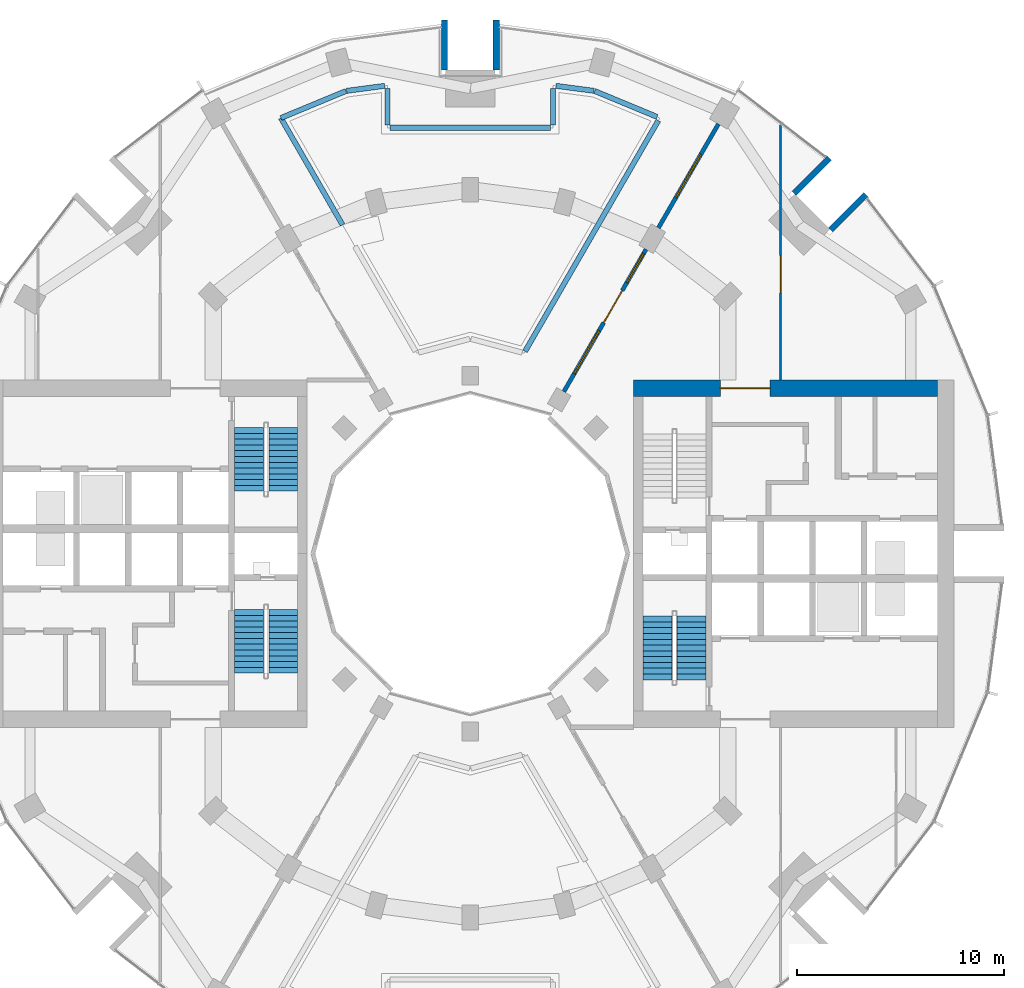
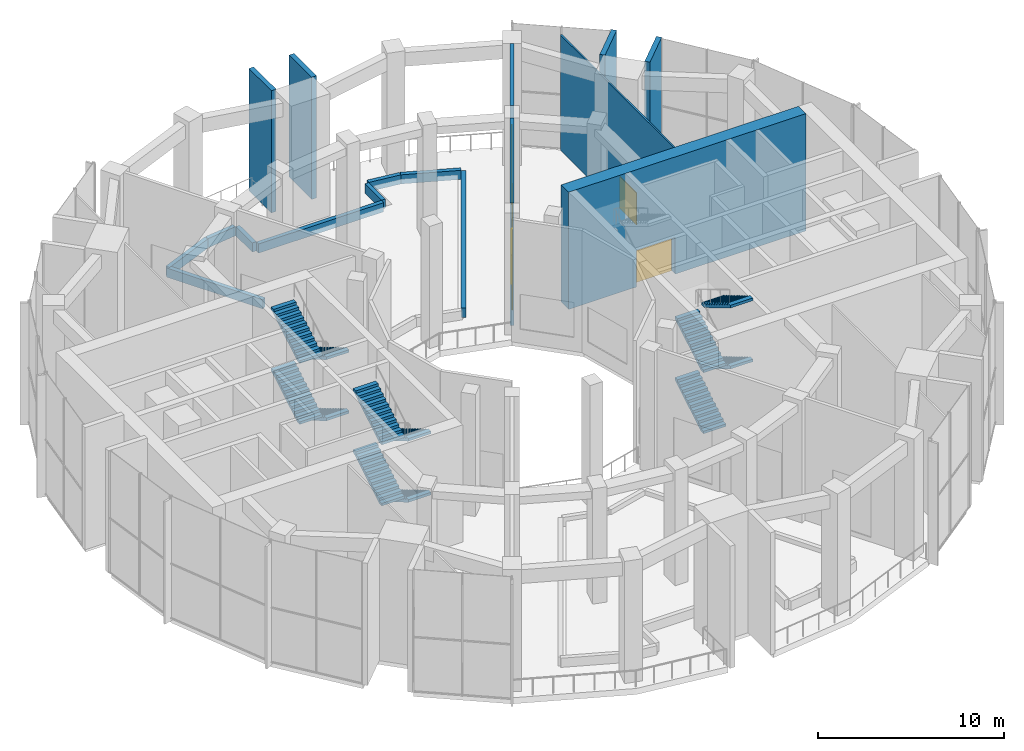
# One storey, part 14 of 18: 17 walls, 12 stair flights, 3 doors, 3 windows, 6 openings, 3 elements without a shape of their own.
"""IFC4 building model written with IfcOpenShell, lengths in metres."""

from ifc_helpers import new_model, si_unit, direction, frame, frame_2d, origin, place, context, subcontext, project, spatial, polyline, rectangle, outline, extrude, material, layer, layer_set, type_object, element, fill, aggregate, save


model = new_model("IFC4")

# Units and contexts
model_context = context("Model", 3, precision=1e-05, world=origin(), true_north=direction((0.0, 1.0)))
body_context = subcontext(model_context, "Body", "Model", "MODEL_VIEW")
ifc_project = project(units=[si_unit("LENGTHUNIT", "METRE"), si_unit("AREAUNIT", "SQUARE_METRE"), si_unit("VOLUMEUNIT", "CUBIC_METRE"), si_unit("PLANEANGLEUNIT", "RADIAN"), si_unit("MASSUNIT", "GRAM", prefix="KILO")], contexts=[model_context])

# Site, building, storey
site_placement = place(None, origin())
site = spatial("IfcSite", under=ifc_project, at=site_placement, CompositionType="ELEMENT")
building_placement = place(site_placement, origin())
building = spatial("IfcBuilding", under=site, at=building_placement, Name="Torre Brocal", CompositionType="ELEMENT")
storey_placement = place(building_placement, frame((0.0, 0.0, 74.39990234375)))
storey = spatial("IfcBuildingStorey", under=building, at=storey_placement, Name="L17", CompositionType="ELEMENT", Elevation=74.39990234375)

# Wall, opening, door
ifc_material_1 = material(Name="Concrete C80", Category="concrete")
ifc_layer_1 = layer(ifc_material_1, 0.800048828125)
ifc_layer_set_1 = layer_set([ifc_layer_1], Name="Concrete C80")
wall_type_1 = type_object("IfcWallType", Name="CORE WALL 800 C80", PredefinedType="SHEAR", material=ifc_layer_set_1)
wall_1_placement = place(storey_placement, frame((87.89990234375, 83.0, 0.0), z_axis=(0.0, 0.0, 1.0), x_axis=(1.0, 0.0, 0.0)))
wall_1 = element("IfcWall", 1, at=wall_1_placement, inside=storey, type_object=wall_type_1, Name="Wall CW800-80", PredefinedType="SHEAR", context=body_context, shape_type="SweptSolid", body=[
    extrude(rectangle(XDim=14.7001953125, YDim=0.800048828125, at=frame_2d((7.35009765625, 0.0))), origin(), (0.0, 0.0, 1.0), 7.68017578125),
])
opening_1_placement = place(wall_1_placement, frame((4.199951171875, 0.0, 0.0)))
opening_1 = element("IfcOpeningElement", 2, at=opening_1_placement, cuts=wall_1, Name="Opening E-D24", PredefinedType="OPENING", context=body_context, shape_type="SweptSolid", body=[
    extrude(rectangle(XDim=2.39990234375, YDim=2.39990234375, at=frame_2d((1.199951171875, 1.199951171875))), frame((0.0, 0.409912109375, 0.0), z_axis=(0.0, -1.0, 0.0), x_axis=(1.0, 0.0, 0.0)), (0.0, 0.0, 1.0), 0.820068359375),
])
ifc_material_2 = material(Name="Steel A653", Category="steel")
door_type_1 = type_object("IfcDoorType", Name="DOUBLE FIRE DOOR FD90 2400X2400", OperationType="DOUBLE_DOOR_SINGLE_SWING", PredefinedType="DOOR", material=ifc_material_2)
door_1_placement = place(opening_1_placement, origin())
door_1 = element("IfcDoor", 3, at=door_1_placement, inside=storey, type_object=door_type_1, Name="Door E-D24", OperationType="DOUBLE_DOOR_SINGLE_SWING", OverallHeight=2.39990234375, OverallWidth=2.39990234375, PredefinedType="DOOR", context=body_context, shape_type="SweptSolid", body=[
    extrude(rectangle(XDim=2.39990234375, YDim=2.39990234375, at=frame_2d((1.199951171875, 1.199951171875))), frame((0.0, 0.02490234375, 0.0), z_axis=(0.0, -1.0, 0.0), x_axis=(1.0, 0.0, 0.0)), (0.0, 0.0, 1.0), 0.050048828125),
])
fill(opening_1, door_1)

# Walls
ifc_material_3 = material(Name="Concrete C80", Category="concrete")
ifc_layer_2 = layer(ifc_material_3, 0.300048828125)
ifc_layer_set_2 = layer_set([ifc_layer_2], Name="Concrete C80")
wall_type_2 = type_object("IfcWallType", Name="NOTCH RETURN WALL 300 C80", PredefinedType="NOTDEFINED", material=ifc_layer_set_2)
for number, where, z_axis, x_axis, name in (
    (4, (97.43017578125, 90.662353515625, 0.0), (0.0, 0.0, 1.0), (0.707106781187, 0.707106781187, 0.0), "NOTCH RETURN WALL"),
    (5, (95.662353515625, 92.43017578125, 0.0), (0.0, 0.0, 1.0), (0.707106781187, 0.707106781187, 0.0), "NOTCH RETURN WALL"),
    (6, (81.25, 98.39990234375, 0.0), (0.0, 0.0, 1.0), (0.0, 1.0, 0.0), "NOTCH RETURN WALL"),
    (7, (78.75, 98.39990234375, 0.0), (0.0, 0.0, 1.0), (0.0, 1.0, 0.0), "NOTCH RETURN WALL"),
):
    element("IfcWall", number, at=place(storey_placement, frame(where, z_axis=z_axis, x_axis=x_axis)), inside=storey, type_object=wall_type_2, Name=name, PredefinedType="NOTDEFINED", context=body_context, shape_type="SweptSolid", body=[
        extrude(rectangle(XDim=2.415771484375, YDim=0.300048828125, at=frame_2d((1.2080078125, 0.0))), origin(), (0.0, 0.0, 1.0), 8.0),
    ])

# Wall, opening, door
ifc_material_4 = material(Name="Gypsum board", Category="Gypsum")
ifc_layer_3 = layer(ifc_material_4, 0.10009765625)
ifc_layer_set_3 = layer_set([ifc_layer_3], Name="Gypsum board")
wall_type_3 = type_object("IfcWallType", Name="PARTITION 100", PredefinedType="PARTITIONING", material=ifc_layer_set_3)
wall_2_placement = place(storey_placement, frame((95.011962890625, 83.39990234375, 0.0), z_axis=(0.0, 0.0, 1.0), x_axis=(0.0, 1.0, 0.0)))
wall_2 = element("IfcWall", 8, at=wall_2_placement, inside=storey, type_object=wall_type_3, Name="ROOM PARTITION", PredefinedType="PARTITIONING", context=body_context, shape_type="SweptSolid", body=[
    extrude(rectangle(XDim=12.330078125, YDim=0.10009765625, at=frame_2d((6.1650390625, 0.0))), origin(), (0.0, 0.0, 1.0), 7.550048828125),
])
opening_2_placement = place(wall_2_placement, frame((4.221435546875, 0.0, 0.0)))
opening_2 = element("IfcOpeningElement", 9, at=opening_2_placement, cuts=wall_2, Name="Opening SG1-D01", PredefinedType="OPENING", context=body_context, shape_type="SweptSolid", body=[
    extrude(rectangle(XDim=1.800048828125, YDim=2.10009765625, at=frame_2d((0.89990234375, 1.050048828125))), frame((0.0, 0.06005859375, 0.0), z_axis=(0.0, -1.0, 0.0), x_axis=(1.0, 0.0, 0.0)), (0.0, 0.0, 1.0), 0.1201171875),
])
ifc_material_5 = material(Name="Timber", Category="wood")
door_type_2 = type_object("IfcDoorType", Name="DOUBLE DOOR 1800X2100", OperationType="DOUBLE_DOOR_SINGLE_SWING", PredefinedType="DOOR", material=ifc_material_5)
door_2_placement = place(opening_2_placement, frame((1.800048828125, 0.0, 0.0), z_axis=(0.0, 0.0, 1.0), x_axis=(-1.0, 0.0, 0.0)))
door_2 = element("IfcDoor", 10, at=door_2_placement, inside=storey, type_object=door_type_2, Name="SG1-D01", OperationType="DOUBLE_DOOR_SINGLE_SWING", OverallHeight=2.10009765625, OverallWidth=1.800048828125, PredefinedType="DOOR", context=body_context, shape_type="SweptSolid", body=[
    extrude(rectangle(XDim=1.800048828125, YDim=2.10009765625, at=frame_2d((0.89990234375, 1.050048828125))), frame((0.0, 0.02490234375, 0.0), z_axis=(0.0, -1.0, 0.0), x_axis=(1.0, 0.0, 0.0)), (0.0, 0.0, 1.0), 0.050048828125),
])
fill(opening_2, door_2)

# Wall, openings, door, windows
ifc_material_6 = material(Name="Concrete C40", Category="concrete")
ifc_layer_4 = layer(ifc_material_6, 0.199951171875)
ifc_layer_set_4 = layer_set([ifc_layer_4], Name="Concrete C40")
wall_type_4 = type_object("IfcWallType", Name="PAVILION BOUNDARY WALL 200", PredefinedType="NOTDEFINED", material=ifc_layer_set_4)
wall_3_placement = place(storey_placement, frame((84.52490234375, 82.837646484375, 0.0), z_axis=(0.0, 0.0, 1.0), x_axis=(0.50001663867, 0.86601579723, 0.0)))
wall_3 = element("IfcWall", 11, at=wall_3_placement, inside=storey, type_object=wall_type_4, Name="PAVILION BOUNDARY WALL", PredefinedType="NOTDEFINED", context=body_context, shape_type="SweptSolid", body=[
    extrude(rectangle(XDim=7.949951171875, YDim=0.199951171875, at=frame_2d((3.97509765625, 0.0))), origin(), (0.0, 0.0, 1.0), 8.0),
])
opening_3_placement = place(wall_3_placement, frame((1.0, 0.0, 0.300048828125)))
opening_3 = element("IfcOpeningElement", 12, at=opening_3_placement, cuts=wall_3, Name="Opening W4", PredefinedType="OPENING", context=body_context, shape_type="SweptSolid", body=[
    extrude(rectangle(XDim=2.39990234375, YDim=3.60009765625, at=frame_2d((1.199951171875, 1.800048828125))), frame((0.0, 0.10986328125, 0.0), z_axis=(0.0, -1.0, 0.0), x_axis=(1.0, 0.0, 0.0)), (0.0, 0.0, 1.0), 0.219970703125),
])
opening_4_placement = place(wall_3_placement, frame((3.85009765625, 0.0, 0.0)))
opening_4 = element("IfcOpeningElement", 13, at=opening_4_placement, cuts=wall_3, Name="Opening L17-E01", PredefinedType="OPENING", context=body_context, shape_type="SweptSolid", body=[
    extrude(rectangle(XDim=1.800048828125, YDim=2.39990234375, at=frame_2d((0.89990234375, 1.199951171875))), frame((0.0, 0.10986328125, 0.0), z_axis=(0.0, -1.0, 0.0), x_axis=(1.0, 0.0, 0.0)), (0.0, 0.0, 1.0), 0.219970703125),
])
opening_5_placement = place(wall_3_placement, frame((6.10009765625, 0.0, 0.300048828125)))
opening_5 = element("IfcOpeningElement", 14, at=opening_5_placement, cuts=wall_3, Name="Opening W4-1600", PredefinedType="OPENING", context=body_context, shape_type="SweptSolid", body=[
    extrude(rectangle(XDim=1.60009765625, YDim=3.60009765625, at=frame_2d((0.800048828125, 1.800048828125))), frame((0.0, 0.10986328125, 0.0), z_axis=(0.0, -1.0, 0.0), x_axis=(1.0, 0.0, 0.0)), (0.0, 0.0, 1.0), 0.219970703125),
])
ifc_material_7 = material(Name="Aluminium and glass", Category="aluminium")
door_type_3 = type_object("IfcDoorType", Name="PAVILION DOOR 1800X2400", OperationType="DOUBLE_DOOR_SINGLE_SWING", PredefinedType="DOOR", material=ifc_material_7)
door_3_placement = place(opening_4_placement, origin())
door_3 = element("IfcDoor", 15, at=door_3_placement, inside=storey, type_object=door_type_3, Name="DOOR L17-E01", OperationType="DOUBLE_DOOR_SINGLE_SWING", OverallHeight=2.39990234375, OverallWidth=1.800048828125, PredefinedType="DOOR", context=body_context, shape_type="SweptSolid", body=[
    extrude(rectangle(XDim=1.800048828125, YDim=2.39990234375, at=frame_2d((0.89990234375, 1.199951171875))), frame((0.0, 0.02490234375, 0.0), z_axis=(0.0, -1.0, 0.0), x_axis=(1.0, 0.0, 0.0)), (0.0, 0.0, 1.0), 0.050048828125),
])
fill(opening_4, door_3)
ifc_material_8 = material(Name="Aluminium and glass", Category="aluminium")
window_type_1 = type_object("IfcWindowType", Name="PAVILION WINDOW 1600X3600", PartitioningType="SINGLE_PANEL", PredefinedType="WINDOW", material=ifc_material_8)
window_1_placement = place(opening_5_placement, origin())
window_1 = element("IfcWindow", 16, at=window_1_placement, inside=storey, type_object=window_type_1, Name="PAVILION WINDOW 1600X3600", OverallHeight=3.60009765625, OverallWidth=1.60009765625, PartitioningType="SINGLE_PANEL", PredefinedType="WINDOW", context=body_context, shape_type="SweptSolid", body=[
    extrude(rectangle(XDim=1.60009765625, YDim=3.60009765625, at=frame_2d((0.800048828125, 1.800048828125))), frame((0.0, 0.030029296875, 0.0), z_axis=(0.0, -1.0, 0.0), x_axis=(1.0, 0.0, 0.0)), (0.0, 0.0, 1.0), 0.06005859375),
])
fill(opening_5, window_1)
ifc_material_9 = material(Name="Aluminium and glass", Category="aluminium")
window_type_2 = type_object("IfcWindowType", Name="PAVILION WINDOW 2400X3600", PartitioningType="SINGLE_PANEL", PredefinedType="WINDOW", material=ifc_material_9)
window_2_placement = place(opening_3_placement, origin())
window_2 = element("IfcWindow", 17, at=window_2_placement, inside=storey, type_object=window_type_2, Name="PAVILION WINDOW 2400X3600", OverallHeight=3.60009765625, OverallWidth=2.39990234375, PartitioningType="SINGLE_PANEL", PredefinedType="WINDOW", context=body_context, shape_type="SweptSolid", body=[
    extrude(rectangle(XDim=2.39990234375, YDim=3.60009765625, at=frame_2d((1.199951171875, 1.800048828125))), frame((0.0, 0.030029296875, 0.0), z_axis=(0.0, -1.0, 0.0), x_axis=(1.0, 0.0, 0.0)), (0.0, 0.0, 1.0), 0.06005859375),
])
fill(opening_3, window_2)

# Wall, opening, window
wall_4_placement = place(storey_placement, frame((89.10009765625, 90.76171875, 0.0), z_axis=(0.0, 0.0, 1.0), x_axis=(0.499987231761, 0.866032775405, 0.0)))
wall_4 = element("IfcWall", 18, at=wall_4_placement, inside=storey, type_object=wall_type_4, Name="PAVILION BOUNDARY WALL", PredefinedType="NOTDEFINED", context=body_context, shape_type="SweptSolid", body=[
    extrude(rectangle(XDim=5.800048828125, YDim=0.199951171875, at=frame_2d((2.89990234375, 0.0))), origin(), (0.0, 0.0, 1.0), 8.0),
])
opening_6_placement = place(wall_4_placement, frame((1.699951171875, 0.0, 0.300048828125)))
opening_6 = element("IfcOpeningElement", 19, at=opening_6_placement, cuts=wall_4, Name="Opening W4", PredefinedType="OPENING", context=body_context, shape_type="SweptSolid", body=[
    extrude(rectangle(XDim=2.39990234375, YDim=3.60009765625, at=frame_2d((1.199951171875, 1.800048828125))), frame((0.0, 0.10986328125, 0.0), z_axis=(0.0, -1.0, 0.0), x_axis=(1.0, 0.0, 0.0)), (0.0, 0.0, 1.0), 0.219970703125),
])
window_3_placement = place(opening_6_placement, origin())
window_3 = element("IfcWindow", 20, at=window_3_placement, inside=storey, type_object=window_type_2, Name="PAVILION WINDOW 2400X3600", OverallHeight=3.60009765625, OverallWidth=2.39990234375, PartitioningType="SINGLE_PANEL", PredefinedType="WINDOW", context=body_context, shape_type="SweptSolid", body=[
    extrude(rectangle(XDim=2.39990234375, YDim=3.60009765625, at=frame_2d((1.199951171875, 1.800048828125))), frame((0.0, 0.030029296875, 0.0), z_axis=(0.0, -1.0, 0.0), x_axis=(1.0, 0.0, 0.0)), (0.0, 0.0, 1.0), 0.06005859375),
])
fill(opening_6, window_3)

# Walls
ifc_material_10 = material(Name="Concrete C35", Category="concrete")
ifc_layer_5 = layer(ifc_material_10, 0.25)
ifc_layer_set_5 = layer_set([ifc_layer_5], Name="Concrete C35")
wall_type_5 = type_object("IfcWallType", Name="PLANTER WALL 250 THICK 600 HIGH 8", PredefinedType="USERDEFINED", material=ifc_layer_set_5)
wall_5_placement = place(storey_placement, frame((70.8349609375, 96.074462890625, 0.0), z_axis=(0.0, 0.0, 1.0), x_axis=(0.500003486784, -0.866023390679, 0.0)))
element("IfcWall", 21, at=wall_5_placement, inside=storey, type_object=wall_type_5, Name="PLANTER", ObjectType="PLANTER", PredefinedType="USERDEFINED", context=body_context, shape_type="SweptSolid", body=[
    extrude(rectangle(XDim=5.9658203125, YDim=0.25, at=frame_2d((2.98291015625, 0.0))), origin(), (0.0, 0.0, 1.0), 0.60009765625),
])
wall_6_placement = place(storey_placement, frame((82.6474609375, 84.785400390625, 0.0), z_axis=(0.0, 0.0, 1.0), x_axis=(0.499992370413, 0.866029808684, 0.0)))
element("IfcWall", 22, at=wall_6_placement, inside=storey, type_object=wall_type_5, Name="PLANTER", ObjectType="PLANTER", PredefinedType="USERDEFINED", context=body_context, shape_type="SweptSolid", body=[
    extrude(rectangle(XDim=12.892822265625, YDim=0.25, at=frame_2d((6.4462890625, 0.0))), origin(), (0.0, 0.0, 1.0), 0.60009765625),
])
wall_7_placement = place(storey_placement, frame((89.033447265625, 96.12890625, 0.0), z_axis=(0.0, 0.0, 1.0), x_axis=(-0.923863886655, 0.382721202621, 0.0)))
element("IfcWall", 23, at=wall_7_placement, inside=storey, type_object=wall_type_5, Name="PLANTER", ObjectType="PLANTER", PredefinedType="USERDEFINED", context=body_context, shape_type="SweptSolid", body=[
    extrude(rectangle(XDim=3.2685546875, YDim=0.25, at=frame_2d((1.63427734375, 0.0))), origin(), (0.0, 0.0, 1.0), 0.60009765625),
])
wall_8_placement = place(storey_placement, frame((85.98193359375, 97.38818359375, 0.0), z_axis=(0.0, 0.0, 1.0), x_axis=(-0.991436829887, 0.130587182926, 0.0)))
element("IfcWall", 24, at=wall_8_placement, inside=storey, type_object=wall_type_5, Name="PLANTER", ObjectType="PLANTER", PredefinedType="USERDEFINED", context=body_context, shape_type="SweptSolid", body=[
    extrude(rectangle(XDim=1.8564453125, YDim=0.25, at=frame_2d((0.92822265625, 0.0))), origin(), (0.0, 0.0, 1.0), 0.60009765625),
])
wall_9_placement = place(storey_placement, frame((84.0, 97.506591796875, 0.0), z_axis=(0.0, 0.0, 1.0), x_axis=(0.0, -1.0, 0.0)))
element("IfcWall", 25, at=wall_9_placement, inside=storey, type_object=wall_type_5, Name="PLANTER", ObjectType="PLANTER", PredefinedType="USERDEFINED", context=body_context, shape_type="SweptSolid", body=[
    extrude(rectangle(XDim=1.781494140625, YDim=0.25, at=frame_2d((0.890625, 0.0))), origin(), (0.0, 0.0, 1.0), 0.60009765625),
])
wall_10_placement = place(storey_placement, frame((83.875, 95.60009765625, 0.0), z_axis=(0.0, 0.0, 1.0), x_axis=(-1.0, 0.0, 0.0)))
element("IfcWall", 26, at=wall_10_placement, inside=storey, type_object=wall_type_5, Name="PLANTER", ObjectType="PLANTER", PredefinedType="USERDEFINED", context=body_context, shape_type="SweptSolid", body=[
    extrude(rectangle(XDim=7.75, YDim=0.25, at=frame_2d((3.875, 0.0))), origin(), (0.0, 0.0, 1.0), 0.60009765625),
])
wall_11_placement = place(storey_placement, frame((76.0, 95.72509765625, 0.0), z_axis=(0.0, 0.0, 1.0), x_axis=(0.0, 1.0, 0.0)))
element("IfcWall", 27, at=wall_11_placement, inside=storey, type_object=wall_type_5, Name="PLANTER", ObjectType="PLANTER", PredefinedType="USERDEFINED", context=body_context, shape_type="SweptSolid", body=[
    extrude(rectangle(XDim=1.781494140625, YDim=0.25, at=frame_2d((0.890625, 0.0))), origin(), (0.0, 0.0, 1.0), 0.60009765625),
])
wall_12_placement = place(storey_placement, frame((75.858642578125, 97.630615234375, 0.0), z_axis=(0.0, 0.0, 1.0), x_axis=(-0.991436829887, -0.130587182926, 0.0)))
element("IfcWall", 28, at=wall_12_placement, inside=storey, type_object=wall_type_5, Name="PLANTER", ObjectType="PLANTER", PredefinedType="USERDEFINED", context=body_context, shape_type="SweptSolid", body=[
    extrude(rectangle(XDim=1.8564453125, YDim=0.25, at=frame_2d((0.92822265625, 0.0))), origin(), (0.0, 0.0, 1.0), 0.60009765625),
])
wall_13_placement = place(storey_placement, frame((73.986328125, 97.3798828125, 0.0), z_axis=(0.0, 0.0, 1.0), x_axis=(-0.923871147788, -0.38270367425, 0.0)))
element("IfcWall", 29, at=wall_13_placement, inside=storey, type_object=wall_type_5, Name="PLANTER", ObjectType="PLANTER", PredefinedType="USERDEFINED", context=body_context, shape_type="SweptSolid", body=[
    extrude(rectangle(XDim=3.4111328125, YDim=0.25, at=frame_2d((1.70556640625, 0.0))), origin(), (0.0, 0.0, 1.0), 0.60009765625),
])

# Stair, stair flights
ifc_material_11 = material(Name="Concrete C50", Category="concrete")
stair_type = type_object("IfcStairType", Name="EXIT STAIR", PredefinedType="HALF_TURN_STAIR", material=ifc_material_11)
stair_1_placement = place(storey_placement, origin())
stair_1 = element("IfcStair", 30, at=stair_1_placement, inside=storey, type_object=stair_type, Name="EXIT STAIR ST2", PredefinedType="HALF_TURN_STAIR")
ifc_material_12 = material(Name="Concrete C50", Category="concrete")
ifc_layer_6 = layer(ifc_material_12, 0.14990234375)
ifc_layer_set_6 = layer_set([ifc_layer_6], Name="Concrete C50")
stair_flight_type = type_object("IfcStairFlightType", Name="STAIR FLIGHT", PredefinedType="STRAIGHT", material=ifc_layer_set_6)
stair_flight_1_placement = place(storey_placement, frame((89.050048828125, 68.89990234375, 0.0), z_axis=(0.0, 0.0, 1.0), x_axis=(0.0, 1.0, 0.0)))
stair_flight_1 = element("IfcStairFlight", 31, at=stair_flight_1_placement, type_object=stair_flight_type, Name="ST2 flight 1", NumberOfRisers=12, NumberOfTreads=11, PredefinedType="STRAIGHT", RiserHeight=0.166666667, TreadLength=0.28, context=body_context, shape_type="SweptSolid", body=[
    extrude(outline(polyline([(0.0, 0.0), (0.0, 0.166748046875), (0.280029296875, 0.166748046875), (0.280029296875, 0.333251953125), (0.56005859375, 0.333251953125), (0.56005859375, 0.5), (0.840087890625, 0.5), (0.840087890625, 0.666748046875), (1.1201171875, 0.666748046875), (1.1201171875, 0.833251953125), (1.39990234375, 0.833251953125), (1.39990234375, 1.0), (1.679931640625, 1.0), (1.679931640625, 1.166748046875), (1.9599609375, 1.166748046875), (1.9599609375, 1.333251953125), (2.239990234375, 1.333251953125), (2.239990234375, 1.5), (2.52001953125, 1.5), (2.52001953125, 1.666748046875), (2.800048828125, 1.666748046875), (2.800048828125, 1.833251953125), (3.080078125, 1.833251953125), (3.080078125, 2.0), (3.080078125, 1.658935546875), (0.29296875, 0.0), (0.0, 0.0)])), frame((0.0, 0.699951171875, 0.0), z_axis=(0.0, -1.0, 0.0), x_axis=(1.0, 0.0, 0.0)), (0.0, 0.0, 1.0), 1.39990234375),
])
stair_flight_2_placement = place(storey_placement, frame((90.699951171875, 71.97998046875, 2.0), z_axis=(0.0, 0.0, 1.0), x_axis=(0.0, -1.0, 0.0)))
stair_flight_2 = element("IfcStairFlight", 32, at=stair_flight_2_placement, type_object=stair_flight_type, Name="ST2 flight 2", NumberOfRisers=12, NumberOfTreads=11, PredefinedType="STRAIGHT", RiserHeight=0.166666667, TreadLength=0.28, context=body_context, shape_type="SweptSolid", body=[
    extrude(outline(polyline([(0.0, 0.0), (0.0, 0.166748046875), (0.280029296875, 0.166748046875), (0.280029296875, 0.333251953125), (0.56005859375, 0.333251953125), (0.56005859375, 0.5), (0.840087890625, 0.5), (0.840087890625, 0.666748046875), (1.1201171875, 0.666748046875), (1.1201171875, 0.833251953125), (1.39990234375, 0.833251953125), (1.39990234375, 1.0), (1.679931640625, 1.0), (1.679931640625, 1.166748046875), (1.9599609375, 1.166748046875), (1.9599609375, 1.333251953125), (2.239990234375, 1.333251953125), (2.239990234375, 1.5), (2.52001953125, 1.5), (2.52001953125, 1.666748046875), (2.800048828125, 1.666748046875), (2.800048828125, 1.833251953125), (3.080078125, 1.833251953125), (3.080078125, 2.0), (3.080078125, 1.658935546875), (0.29296875, 0.0), (0.0, 0.0)])), frame((0.0, 0.699951171875, 0.0), z_axis=(0.0, -1.0, 0.0), x_axis=(1.0, 0.0, 0.0)), (0.0, 0.0, 1.0), 1.39990234375),
])
stair_flight_3_placement = place(storey_placement, frame((89.050048828125, 68.89990234375, 4.0), z_axis=(0.0, 0.0, 1.0), x_axis=(0.0, 1.0, 0.0)))
stair_flight_3 = element("IfcStairFlight", 33, at=stair_flight_3_placement, type_object=stair_flight_type, Name="ST2 flight 3", NumberOfRisers=12, NumberOfTreads=11, PredefinedType="STRAIGHT", RiserHeight=0.166666667, TreadLength=0.28, context=body_context, shape_type="SweptSolid", body=[
    extrude(outline(polyline([(0.0, 0.0), (0.0, 0.166748046875), (0.280029296875, 0.166748046875), (0.280029296875, 0.333251953125), (0.56005859375, 0.333251953125), (0.56005859375, 0.5), (0.840087890625, 0.5), (0.840087890625, 0.666748046875), (1.1201171875, 0.666748046875), (1.1201171875, 0.833251953125), (1.39990234375, 0.833251953125), (1.39990234375, 1.0), (1.679931640625, 1.0), (1.679931640625, 1.166748046875), (1.9599609375, 1.166748046875), (1.9599609375, 1.333251953125), (2.239990234375, 1.333251953125), (2.239990234375, 1.5), (2.52001953125, 1.5), (2.52001953125, 1.666748046875), (2.800048828125, 1.666748046875), (2.800048828125, 1.833251953125), (3.080078125, 1.833251953125), (3.080078125, 2.0), (3.080078125, 1.658935546875), (0.29296875, 0.0), (0.0, 0.0)])), frame((0.0, 0.699951171875, 0.0), z_axis=(0.0, -1.0, 0.0), x_axis=(1.0, 0.0, 0.0)), (0.0, 0.0, 1.0), 1.39990234375),
])
stair_flight_4_placement = place(storey_placement, frame((90.699951171875, 71.97998046875, 6.0), z_axis=(0.0, 0.0, 1.0), x_axis=(0.0, -1.0, 0.0)))
stair_flight_4 = element("IfcStairFlight", 34, at=stair_flight_4_placement, type_object=stair_flight_type, Name="ST2 flight 4", NumberOfRisers=12, NumberOfTreads=11, PredefinedType="STRAIGHT", RiserHeight=0.166666667, TreadLength=0.28, context=body_context, shape_type="SweptSolid", body=[
    extrude(outline(polyline([(0.0, 0.0), (0.0, 0.166748046875), (0.280029296875, 0.166748046875), (0.280029296875, 0.333251953125), (0.56005859375, 0.333251953125), (0.56005859375, 0.5), (0.840087890625, 0.5), (0.840087890625, 0.666748046875), (1.1201171875, 0.666748046875), (1.1201171875, 0.833251953125), (1.39990234375, 0.833251953125), (1.39990234375, 1.0), (1.679931640625, 1.0), (1.679931640625, 1.166748046875), (1.9599609375, 1.166748046875), (1.9599609375, 1.333251953125), (2.239990234375, 1.333251953125), (2.239990234375, 1.5), (2.52001953125, 1.5), (2.52001953125, 1.666748046875), (2.800048828125, 1.666748046875), (2.800048828125, 1.833251953125), (3.080078125, 1.833251953125), (3.080078125, 2.0), (3.080078125, 1.658935546875), (0.29296875, 0.0), (0.0, 0.0)])), frame((0.0, 0.699951171875, 0.0), z_axis=(0.0, -1.0, 0.0), x_axis=(1.0, 0.0, 0.0)), (0.0, 0.0, 1.0), 1.39990234375),
])
aggregate(stair_1, [stair_flight_1, stair_flight_2, stair_flight_3, stair_flight_4])

stair_2_placement = place(storey_placement, origin())
stair_2 = element("IfcStair", 35, at=stair_2_placement, inside=storey, type_object=stair_type, Name="EXIT STAIR ST3", PredefinedType="HALF_TURN_STAIR")
stair_flight_5_placement = place(storey_placement, frame((70.949951171875, 72.300048828125, 0.0), z_axis=(0.0, 0.0, 1.0), x_axis=(0.0, -1.0, 0.0)))
stair_flight_5 = element("IfcStairFlight", 36, at=stair_flight_5_placement, type_object=stair_flight_type, Name="ST3 flight 1", NumberOfRisers=12, NumberOfTreads=11, PredefinedType="STRAIGHT", RiserHeight=0.166666667, TreadLength=0.28, context=body_context, shape_type="SweptSolid", body=[
    extrude(outline(polyline([(0.0, 0.0), (0.0, 0.166748046875), (0.280029296875, 0.166748046875), (0.280029296875, 0.333251953125), (0.56005859375, 0.333251953125), (0.56005859375, 0.5), (0.840087890625, 0.5), (0.840087890625, 0.666748046875), (1.1201171875, 0.666748046875), (1.1201171875, 0.833251953125), (1.39990234375, 0.833251953125), (1.39990234375, 1.0), (1.679931640625, 1.0), (1.679931640625, 1.166748046875), (1.9599609375, 1.166748046875), (1.9599609375, 1.333251953125), (2.239990234375, 1.333251953125), (2.239990234375, 1.5), (2.52001953125, 1.5), (2.52001953125, 1.666748046875), (2.800048828125, 1.666748046875), (2.800048828125, 1.833251953125), (3.080078125, 1.833251953125), (3.080078125, 2.0), (3.080078125, 1.658935546875), (0.29296875, 0.0), (0.0, 0.0)])), frame((0.0, 0.699951171875, 0.0), z_axis=(0.0, -1.0, 0.0), x_axis=(1.0, 0.0, 0.0)), (0.0, 0.0, 1.0), 1.39990234375),
])
stair_flight_6_placement = place(storey_placement, frame((69.300048828125, 69.219970703125, 2.0), z_axis=(0.0, 0.0, 1.0), x_axis=(0.0, 1.0, 0.0)))
stair_flight_6 = element("IfcStairFlight", 37, at=stair_flight_6_placement, type_object=stair_flight_type, Name="ST3 flight 2", NumberOfRisers=12, NumberOfTreads=11, PredefinedType="STRAIGHT", RiserHeight=0.166666667, TreadLength=0.28, context=body_context, shape_type="SweptSolid", body=[
    extrude(outline(polyline([(0.0, 0.0), (0.0, 0.166748046875), (0.280029296875, 0.166748046875), (0.280029296875, 0.333251953125), (0.56005859375, 0.333251953125), (0.56005859375, 0.5), (0.840087890625, 0.5), (0.840087890625, 0.666748046875), (1.1201171875, 0.666748046875), (1.1201171875, 0.833251953125), (1.39990234375, 0.833251953125), (1.39990234375, 1.0), (1.679931640625, 1.0), (1.679931640625, 1.166748046875), (1.9599609375, 1.166748046875), (1.9599609375, 1.333251953125), (2.239990234375, 1.333251953125), (2.239990234375, 1.5), (2.52001953125, 1.5), (2.52001953125, 1.666748046875), (2.800048828125, 1.666748046875), (2.800048828125, 1.833251953125), (3.080078125, 1.833251953125), (3.080078125, 2.0), (3.080078125, 1.658935546875), (0.29296875, 0.0), (0.0, 0.0)])), frame((0.0, 0.699951171875, 0.0), z_axis=(0.0, -1.0, 0.0), x_axis=(1.0, 0.0, 0.0)), (0.0, 0.0, 1.0), 1.39990234375),
])
stair_flight_7_placement = place(storey_placement, frame((70.949951171875, 72.300048828125, 4.0), z_axis=(0.0, 0.0, 1.0), x_axis=(0.0, -1.0, 0.0)))
stair_flight_7 = element("IfcStairFlight", 38, at=stair_flight_7_placement, type_object=stair_flight_type, Name="ST3 flight 3", NumberOfRisers=12, NumberOfTreads=11, PredefinedType="STRAIGHT", RiserHeight=0.166666667, TreadLength=0.28, context=body_context, shape_type="SweptSolid", body=[
    extrude(outline(polyline([(0.0, 0.0), (0.0, 0.166748046875), (0.280029296875, 0.166748046875), (0.280029296875, 0.333251953125), (0.56005859375, 0.333251953125), (0.56005859375, 0.5), (0.840087890625, 0.5), (0.840087890625, 0.666748046875), (1.1201171875, 0.666748046875), (1.1201171875, 0.833251953125), (1.39990234375, 0.833251953125), (1.39990234375, 1.0), (1.679931640625, 1.0), (1.679931640625, 1.166748046875), (1.9599609375, 1.166748046875), (1.9599609375, 1.333251953125), (2.239990234375, 1.333251953125), (2.239990234375, 1.5), (2.52001953125, 1.5), (2.52001953125, 1.666748046875), (2.800048828125, 1.666748046875), (2.800048828125, 1.833251953125), (3.080078125, 1.833251953125), (3.080078125, 2.0), (3.080078125, 1.658935546875), (0.29296875, 0.0), (0.0, 0.0)])), frame((0.0, 0.699951171875, 0.0), z_axis=(0.0, -1.0, 0.0), x_axis=(1.0, 0.0, 0.0)), (0.0, 0.0, 1.0), 1.39990234375),
])
stair_flight_8_placement = place(storey_placement, frame((69.300048828125, 69.219970703125, 6.0), z_axis=(0.0, 0.0, 1.0), x_axis=(0.0, 1.0, 0.0)))
stair_flight_8 = element("IfcStairFlight", 39, at=stair_flight_8_placement, type_object=stair_flight_type, Name="ST3 flight 4", NumberOfRisers=12, NumberOfTreads=11, PredefinedType="STRAIGHT", RiserHeight=0.166666667, TreadLength=0.28, context=body_context, shape_type="SweptSolid", body=[
    extrude(outline(polyline([(0.0, 0.0), (0.0, 0.166748046875), (0.280029296875, 0.166748046875), (0.280029296875, 0.333251953125), (0.56005859375, 0.333251953125), (0.56005859375, 0.5), (0.840087890625, 0.5), (0.840087890625, 0.666748046875), (1.1201171875, 0.666748046875), (1.1201171875, 0.833251953125), (1.39990234375, 0.833251953125), (1.39990234375, 1.0), (1.679931640625, 1.0), (1.679931640625, 1.166748046875), (1.9599609375, 1.166748046875), (1.9599609375, 1.333251953125), (2.239990234375, 1.333251953125), (2.239990234375, 1.5), (2.52001953125, 1.5), (2.52001953125, 1.666748046875), (2.800048828125, 1.666748046875), (2.800048828125, 1.833251953125), (3.080078125, 1.833251953125), (3.080078125, 2.0), (3.080078125, 1.658935546875), (0.29296875, 0.0), (0.0, 0.0)])), frame((0.0, 0.699951171875, 0.0), z_axis=(0.0, -1.0, 0.0), x_axis=(1.0, 0.0, 0.0)), (0.0, 0.0, 1.0), 1.39990234375),
])
aggregate(stair_2, [stair_flight_5, stair_flight_6, stair_flight_7, stair_flight_8])

stair_3_placement = place(storey_placement, origin())
stair_3 = element("IfcStair", 40, at=stair_3_placement, inside=storey, type_object=stair_type, Name="EXIT STAIR ST4", PredefinedType="HALF_TURN_STAIR")
stair_flight_9_placement = place(storey_placement, frame((70.949951171875, 81.10009765625, 0.0), z_axis=(0.0, 0.0, 1.0), x_axis=(0.0, -1.0, 0.0)))
stair_flight_9 = element("IfcStairFlight", 41, at=stair_flight_9_placement, type_object=stair_flight_type, Name="ST4 flight 1", NumberOfRisers=12, NumberOfTreads=11, PredefinedType="STRAIGHT", RiserHeight=0.166666667, TreadLength=0.28, context=body_context, shape_type="SweptSolid", body=[
    extrude(outline(polyline([(0.0, 0.0), (0.0, 0.166748046875), (0.280029296875, 0.166748046875), (0.280029296875, 0.333251953125), (0.56005859375, 0.333251953125), (0.56005859375, 0.5), (0.840087890625, 0.5), (0.840087890625, 0.666748046875), (1.1201171875, 0.666748046875), (1.1201171875, 0.833251953125), (1.39990234375, 0.833251953125), (1.39990234375, 1.0), (1.679931640625, 1.0), (1.679931640625, 1.166748046875), (1.9599609375, 1.166748046875), (1.9599609375, 1.333251953125), (2.239990234375, 1.333251953125), (2.239990234375, 1.5), (2.52001953125, 1.5), (2.52001953125, 1.666748046875), (2.800048828125, 1.666748046875), (2.800048828125, 1.833251953125), (3.080078125, 1.833251953125), (3.080078125, 2.0), (3.080078125, 1.658935546875), (0.29296875, 0.0), (0.0, 0.0)])), frame((0.0, 0.699951171875, 0.0), z_axis=(0.0, -1.0, 0.0), x_axis=(1.0, 0.0, 0.0)), (0.0, 0.0, 1.0), 1.39990234375),
])
stair_flight_10_placement = place(storey_placement, frame((69.300048828125, 78.02001953125, 2.0), z_axis=(0.0, 0.0, 1.0), x_axis=(0.0, 1.0, 0.0)))
stair_flight_10 = element("IfcStairFlight", 42, at=stair_flight_10_placement, type_object=stair_flight_type, Name="ST4 flight 2", NumberOfRisers=12, NumberOfTreads=11, PredefinedType="STRAIGHT", RiserHeight=0.166666667, TreadLength=0.28, context=body_context, shape_type="SweptSolid", body=[
    extrude(outline(polyline([(0.0, 0.0), (0.0, 0.166748046875), (0.280029296875, 0.166748046875), (0.280029296875, 0.333251953125), (0.56005859375, 0.333251953125), (0.56005859375, 0.5), (0.840087890625, 0.5), (0.840087890625, 0.666748046875), (1.1201171875, 0.666748046875), (1.1201171875, 0.833251953125), (1.39990234375, 0.833251953125), (1.39990234375, 1.0), (1.679931640625, 1.0), (1.679931640625, 1.166748046875), (1.9599609375, 1.166748046875), (1.9599609375, 1.333251953125), (2.239990234375, 1.333251953125), (2.239990234375, 1.5), (2.52001953125, 1.5), (2.52001953125, 1.666748046875), (2.800048828125, 1.666748046875), (2.800048828125, 1.833251953125), (3.080078125, 1.833251953125), (3.080078125, 2.0), (3.080078125, 1.658935546875), (0.29296875, 0.0), (0.0, 0.0)])), frame((0.0, 0.699951171875, 0.0), z_axis=(0.0, -1.0, 0.0), x_axis=(1.0, 0.0, 0.0)), (0.0, 0.0, 1.0), 1.39990234375),
])
stair_flight_11_placement = place(storey_placement, frame((70.949951171875, 81.10009765625, 4.0), z_axis=(0.0, 0.0, 1.0), x_axis=(0.0, -1.0, 0.0)))
stair_flight_11 = element("IfcStairFlight", 43, at=stair_flight_11_placement, type_object=stair_flight_type, Name="ST4 flight 3", NumberOfRisers=12, NumberOfTreads=11, PredefinedType="STRAIGHT", RiserHeight=0.166666667, TreadLength=0.28, context=body_context, shape_type="SweptSolid", body=[
    extrude(outline(polyline([(0.0, 0.0), (0.0, 0.166748046875), (0.280029296875, 0.166748046875), (0.280029296875, 0.333251953125), (0.56005859375, 0.333251953125), (0.56005859375, 0.5), (0.840087890625, 0.5), (0.840087890625, 0.666748046875), (1.1201171875, 0.666748046875), (1.1201171875, 0.833251953125), (1.39990234375, 0.833251953125), (1.39990234375, 1.0), (1.679931640625, 1.0), (1.679931640625, 1.166748046875), (1.9599609375, 1.166748046875), (1.9599609375, 1.333251953125), (2.239990234375, 1.333251953125), (2.239990234375, 1.5), (2.52001953125, 1.5), (2.52001953125, 1.666748046875), (2.800048828125, 1.666748046875), (2.800048828125, 1.833251953125), (3.080078125, 1.833251953125), (3.080078125, 2.0), (3.080078125, 1.658935546875), (0.29296875, 0.0), (0.0, 0.0)])), frame((0.0, 0.699951171875, 0.0), z_axis=(0.0, -1.0, 0.0), x_axis=(1.0, 0.0, 0.0)), (0.0, 0.0, 1.0), 1.39990234375),
])
stair_flight_12_placement = place(storey_placement, frame((69.300048828125, 78.02001953125, 6.0), z_axis=(0.0, 0.0, 1.0), x_axis=(0.0, 1.0, 0.0)))
stair_flight_12 = element("IfcStairFlight", 44, at=stair_flight_12_placement, type_object=stair_flight_type, Name="ST4 flight 4", NumberOfRisers=12, NumberOfTreads=11, PredefinedType="STRAIGHT", RiserHeight=0.166666667, TreadLength=0.28, context=body_context, shape_type="SweptSolid", body=[
    extrude(outline(polyline([(0.0, 0.0), (0.0, 0.166748046875), (0.280029296875, 0.166748046875), (0.280029296875, 0.333251953125), (0.56005859375, 0.333251953125), (0.56005859375, 0.5), (0.840087890625, 0.5), (0.840087890625, 0.666748046875), (1.1201171875, 0.666748046875), (1.1201171875, 0.833251953125), (1.39990234375, 0.833251953125), (1.39990234375, 1.0), (1.679931640625, 1.0), (1.679931640625, 1.166748046875), (1.9599609375, 1.166748046875), (1.9599609375, 1.333251953125), (2.239990234375, 1.333251953125), (2.239990234375, 1.5), (2.52001953125, 1.5), (2.52001953125, 1.666748046875), (2.800048828125, 1.666748046875), (2.800048828125, 1.833251953125), (3.080078125, 1.833251953125), (3.080078125, 2.0), (3.080078125, 1.658935546875), (0.29296875, 0.0), (0.0, 0.0)])), frame((0.0, 0.699951171875, 0.0), z_axis=(0.0, -1.0, 0.0), x_axis=(1.0, 0.0, 0.0)), (0.0, 0.0, 1.0), 1.39990234375),
])
aggregate(stair_3, [stair_flight_9, stair_flight_10, stair_flight_11, stair_flight_12])

save(model, "model.ifc")
